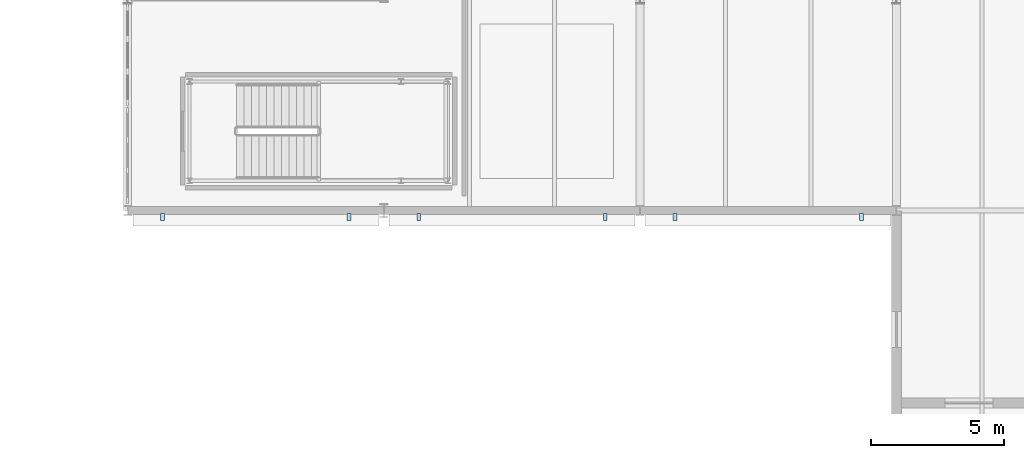
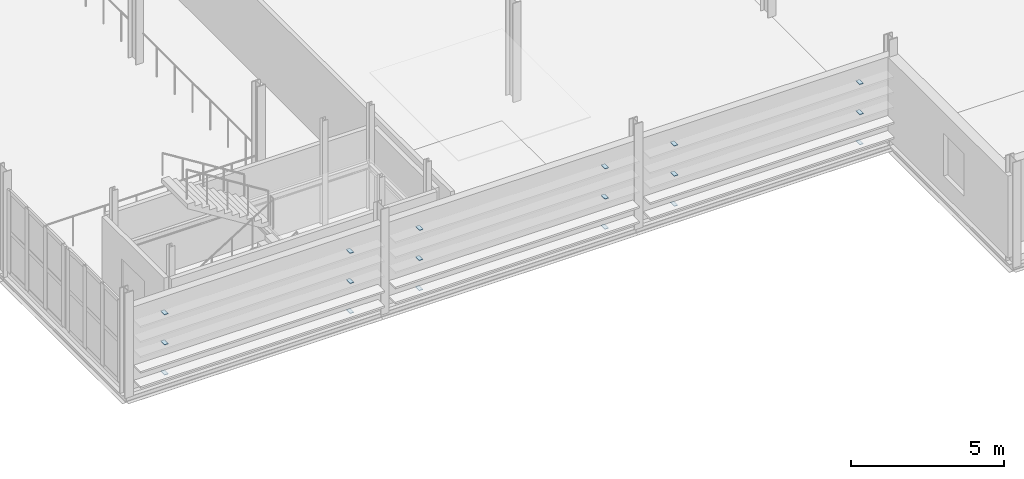
# One storey, part 54 of 78: 18 plates.
"""IFC4 building model written with IfcOpenShell, lengths in metres."""

import ifcopenshell
import ifcopenshell.guid

model = None  # the IFC model being written
_history = None  # IfcOwnerHistory: only IFC2X3 demands one
_inside = {}  # id of a spatial element -> (the spatial element, [elements in it])
_under = {}  # id of a project, library or spatial element -> (it, [spatial elements below it])
_declared = {}  # id of a project -> (the project, [libraries it declares])
_typed = {}  # id of a type object -> (the type object, [elements of that type])
_made_of = {}  # id of a material, layer set ... -> (it, [elements and type objects made of it])


def new_model(schema):
    """Start an empty IFC model of exactly this schema.

    Asked for "IFC4X3", IfcOpenShell would pick the latest addendum, in which some entities
    have other attributes; the version numbers below select the first issue.
    IFC2X3 requires an IfcOwnerHistory on every rooted entity: one is made here for all.
    """
    global model, _history
    if schema == "IFC4X3":
        model = ifcopenshell.file(schema_version=(4, 3, 0, 0))
    else:
        model = ifcopenshell.file(schema=schema)
    _inside.clear()
    _under.clear()
    _declared.clear()
    _typed.clear()
    _made_of.clear()
    _history = None
    if model.schema == "IFC2X3":
        org = make("IfcOrganization", Name="unknown")
        user = make(
            "IfcPersonAndOrganization",
            ThePerson=make("IfcPerson", FamilyName="unknown"),
            TheOrganization=org,
        )
        app = make(
            "IfcApplication",
            ApplicationDeveloper=org,
            Version="unknown",
            ApplicationFullName="unknown",
            ApplicationIdentifier="unknown",
        )
        _history = make(
            "IfcOwnerHistory",
            OwningUser=user,
            OwningApplication=app,
            ChangeAction="ADDED",
            CreationDate=0,
        )
    return model


def make(cls, **values):
    """One entity of the class cls with the attributes given. An attribute that is None is left unset."""
    return model.create_entity(
        cls, **{name: value for name, value in values.items() if value is not None}
    )


def rooted(cls, **values):
    """An entity with a GlobalId (a new one), such as an element, a storey or a relation."""
    return make(cls, GlobalId=ifcopenshell.guid.new(), OwnerHistory=_history, **values)


def si_unit(unit_type, name, prefix=None):
    """IfcSIUnit, for example si_unit("LENGTHUNIT", "METRE", prefix="MILLI")."""
    return make("IfcSIUnit", UnitType=unit_type, Prefix=prefix, Name=name)


def assignment(units):
    """IfcUnitAssignment: the units of a project."""
    return None if units is None else make("IfcUnitAssignment", Units=units)


def point(xyz):
    """IfcCartesianPoint."""
    return None if xyz is None else make("IfcCartesianPoint", Coordinates=xyz)


def direction(xyz):
    """IfcDirection."""
    return None if xyz is None else make("IfcDirection", DirectionRatios=xyz)


def frame(location, z_axis=None, x_axis=None):
    """IfcAxis2Placement3D, a coordinate frame: its origin and axes. An axis left out is left unset."""
    return make(
        "IfcAxis2Placement3D",
        Location=point(location),
        Axis=direction(z_axis),
        RefDirection=direction(x_axis),
    )


def frame_2d(location, x_axis=None):
    """IfcAxis2Placement2D, a coordinate frame in the plane: its origin and x axis."""
    return make(
        "IfcAxis2Placement2D", Location=point(location), RefDirection=direction(x_axis)
    )


def origin():
    """The frame at (0, 0, 0) with its axes left unset."""
    return frame((0.0, 0.0, 0.0))


def origin_2d():
    """The frame at (0, 0) in the plane with its x axis left unset."""
    return frame_2d((0.0, 0.0))


def place(relative_to, where):
    """IfcLocalPlacement: puts the frame where relative to a parent placement (None: the world)."""
    return make(
        "IfcLocalPlacement", PlacementRelTo=relative_to, RelativePlacement=where
    )


def context(
    kind, dimensions, precision=None, world=None, true_north=None, identifier=None
):
    """IfcGeometricRepresentationContext, for example the 3D "Model" context."""
    return make(
        "IfcGeometricRepresentationContext",
        ContextIdentifier=identifier,
        ContextType=kind,
        CoordinateSpaceDimension=dimensions,
        Precision=precision,
        WorldCoordinateSystem=world,
        TrueNorth=true_north,
    )


def subcontext(parent, identifier, kind, view, scale=None):
    """IfcGeometricRepresentationSubContext, for example "Body" below "Model"."""
    return make(
        "IfcGeometricRepresentationSubContext",
        ContextIdentifier=identifier,
        ContextType=kind,
        ParentContext=parent,
        TargetScale=scale,
        TargetView=view,
    )


def project(units=None, contexts=None):
    """IfcProject with its units and contexts."""
    return rooted(
        "IfcProject",
        Name="project",
        RepresentationContexts=contexts,
        UnitsInContext=assignment(units),
    )


def spatial(cls, under=None, at=None, **own):
    """A site, building, storey or space (cls), placed at a placement, below another one or the project."""
    s = rooted(cls, ObjectPlacement=at, **own)
    if under is not None:
        _under.setdefault(under.id(), (under, []))[1].append(s)
    return s


def profile(cls, at=None, kind="AREA", **sizes):
    """A parametric profile (cls). Its sizes go by their IFC names, for example OverallWidth=200.0."""
    return make(cls, ProfileType=kind, Position=at, **sizes)


def rectangle(**sizes):
    """IfcRectangleProfileDef."""
    return profile("IfcRectangleProfileDef", **sizes)


def extrude(swept, where, along, depth):
    """IfcExtrudedAreaSolid: the profile swept, set in the frame where, extruded along a direction by depth."""
    return make(
        "IfcExtrudedAreaSolid",
        SweptArea=swept,
        Position=where,
        ExtrudedDirection=direction(along),
        Depth=depth,
    )


def shape(context_of_items, identifier, shape_type, items):
    """IfcShapeRepresentation: the items that make up one representation, for example the "Body"."""
    return make(
        "IfcShapeRepresentation",
        ContextOfItems=context_of_items,
        RepresentationIdentifier=identifier,
        RepresentationType=shape_type,
        Items=items,
    )


def material(Name=None, Category=None):
    """IfcMaterial."""
    return make("IfcMaterial", Name=Name, Category=Category)


def layer(
    of_material, thickness, ventilated=None, Name=None, Category=None, Priority=None
):
    """IfcMaterialLayer: one layer of a wall or slab, of a material (None: an air gap)."""
    return make(
        "IfcMaterialLayer",
        Material=of_material,
        LayerThickness=thickness,
        IsVentilated=ventilated,
        Name=Name,
        Category=Category,
        Priority=Priority,
    )


def layer_set(layers, Name=None):
    """IfcMaterialLayerSet."""
    return make("IfcMaterialLayerSet", MaterialLayers=layers, LayerSetName=Name)


def made_of(thing, what):
    """Note that an element or type object is made of a material, layer set ...; save() writes the relation."""
    if what is not None:
        _made_of.setdefault(what.id(), (what, []))[1].append(thing)
    return thing


def type_object(cls, material=None, **own):
    """A type object (cls), such as IfcWallType, which elements share."""
    return made_of(rooted(cls, **own), material)


def element(
    cls,
    number,
    at=None,
    inside=None,
    cuts=None,
    type_object=None,
    material=None,
    context=None,
    identifier="Body",
    shape_type=None,
    held_by="IfcProductDefinitionShape",
    body=None,
    shapes=None,
    **own,
):
    """One element of the class cls, such as IfcWall. Its Tag is "e" and its number.

    at: its placement. inside: the storey or other place that contains it. cuts: it is an
    opening in that element (IfcRelVoidsElement). A single representation is given by context,
    identifier, shape_type and body (its items); several are given by shapes. held_by: the class
    of the entity that holds the representations. save() writes the other relations.
    """
    e = rooted(cls, Tag="e%d" % number, ObjectPlacement=at, **own)
    if body is not None:
        shapes = [shape(context, identifier, shape_type, body)]
    if shapes is not None:
        e.Representation = make(held_by, Representations=shapes)
    if inside is not None:
        _inside.setdefault(inside.id(), (inside, []))[1].append(e)
    if cuts is not None:
        rooted(
            "IfcRelVoidsElement", RelatingBuildingElement=cuts, RelatedOpeningElement=e
        )
    if type_object is not None:
        _typed.setdefault(type_object.id(), (type_object, []))[1].append(e)
    return made_of(e, material)


def aggregate(whole, parts):
    """IfcRelAggregates: a whole, such as a stair, and the parts it consists of."""
    return rooted("IfcRelAggregates", RelatingObject=whole, RelatedObjects=parts)


def save(model, path):
    """Write the relations noted so far, then the file.

    IfcRelAggregates (storeys below a building ...), IfcRelContainedInSpatialStructure (elements
    in a storey), IfcRelDefinesByType, IfcRelAssociatesMaterial and IfcRelDeclares: one each for
    every whole, place, type object, material and project.
    """
    for whole, parts in _under.values():
        aggregate(whole, parts)
    for where, things in _inside.values():
        rooted(
            "IfcRelContainedInSpatialStructure",
            RelatedElements=things,
            RelatingStructure=where,
        )
    for kind, things in _typed.values():
        rooted("IfcRelDefinesByType", RelatedObjects=things, RelatingType=kind)
    for what, things in _made_of.values():
        rooted("IfcRelAssociatesMaterial", RelatedObjects=things, RelatingMaterial=what)
    for by, libraries in _declared.values():
        rooted("IfcRelDeclares", RelatingContext=by, RelatedDefinitions=libraries)
    model.write(path)


model = new_model("IFC4")

# Units and contexts
model_context = context("Model", 3, precision=1e-05, world=origin(), true_north=direction((0.0, 1.0)))
body_context = subcontext(model_context, "Body", "Model", "MODEL_VIEW")
ifc_project = project(units=[si_unit("LENGTHUNIT", "METRE"), si_unit("AREAUNIT", "SQUARE_METRE"), si_unit("VOLUMEUNIT", "CUBIC_METRE"), si_unit("PLANEANGLEUNIT", "RADIAN"), si_unit("MASSUNIT", "GRAM", prefix="KILO")], contexts=[model_context])

# Site, building, storey
site_placement = place(None, origin())
site = spatial("IfcSite", under=ifc_project, at=site_placement, CompositionType="ELEMENT")
building_placement = place(site_placement, origin())
building = spatial("IfcBuilding", under=site, at=building_placement, Name="Alderhovde Museum", CompositionType="ELEMENT")
storey_placement = place(building_placement, frame((0.0, 0.0, 4.5)))
storey = spatial("IfcBuildingStorey", under=building, at=storey_placement, Name="L01", CompositionType="ELEMENT", Elevation=4.5)

# Plates
ifc_material = material(Name="Steel S355J2", Category="steel")
ifc_layer = layer(ifc_material, 0.02001953125)
ifc_layer_set = layer_set([ifc_layer], Name="Steel S355J2")
plate_type = type_object("IfcPlateType", Name="LV-BRACKET", PredefinedType="USERDEFINED", material=ifc_layer_set)
for number, where, z_axis, x_axis, name in (
    (1, (20.50390625, 47.77001953125, 0.2900390625), (0.0, 0.0, 1.0), (1.0, 0.0, 0.0), "L01 Louvre Support Bracket 37-1"),
    (2, (27.49609375, 47.77001953125, 0.2900390625), (0.0, 0.0, 1.0), (1.0, 0.0, 0.0), "L01 Louvre Support Bracket 37-2"),
    (3, (20.50390625, 47.77001953125, 1.489990234375), (0.0, 0.0, 1.0), (1.0, 0.0, 0.0), "L01 Louvre Support Bracket 39-1"),
    (4, (27.49609375, 47.77001953125, 1.489990234375), (0.0, 0.0, 1.0), (1.0, 0.0, 0.0), "L01 Louvre Support Bracket 39-2"),
    (5, (20.50390625, 47.77001953125, 2.68994140625), (0.0, 0.0, 1.0), (1.0, 0.0, 0.0), "L01 Louvre Support Bracket 41-1"),
    (6, (27.49609375, 47.77001953125, 2.68994140625), (0.0, 0.0, 1.0), (1.0, 0.0, 0.0), "L01 Louvre Support Bracket 41-2"),
    (7, (30.10400390625, 47.77001953125, 0.2900390625), (0.0, 0.0, 1.0), (1.0, 0.0, 0.0), "L01 Louvre Support Bracket 42-1"),
    (8, (37.095947265625, 47.77001953125, 0.2900390625), (0.0, 0.0, 1.0), (1.0, 0.0, 0.0), "L01 Louvre Support Bracket 42-2"),
    (9, (30.10400390625, 47.77001953125, 1.489990234375), (0.0, 0.0, 1.0), (1.0, 0.0, 0.0), "L01 Louvre Support Bracket 44-1"),
    (10, (37.095947265625, 47.77001953125, 1.489990234375), (0.0, 0.0, 1.0), (1.0, 0.0, 0.0), "L01 Louvre Support Bracket 44-2"),
    (11, (30.10400390625, 47.77001953125, 2.68994140625), (0.0, 0.0, 1.0), (1.0, 0.0, 0.0), "L01 Louvre Support Bracket 46-1"),
    (12, (37.095947265625, 47.77001953125, 2.68994140625), (0.0, 0.0, 1.0), (1.0, 0.0, 0.0), "L01 Louvre Support Bracket 46-2"),
    (13, (39.7041015625, 47.77001953125, 0.2900390625), (0.0, 0.0, 1.0), (1.0, 0.0, 0.0), "L01 Louvre Support Bracket 47-1"),
    (14, (46.696044921875, 47.77001953125, 0.2900390625), (0.0, 0.0, 1.0), (1.0, 0.0, 0.0), "L01 Louvre Support Bracket 47-2"),
    (15, (39.7041015625, 47.77001953125, 1.489990234375), (0.0, 0.0, 1.0), (1.0, 0.0, 0.0), "L01 Louvre Support Bracket 49-1"),
    (16, (46.696044921875, 47.77001953125, 1.489990234375), (0.0, 0.0, 1.0), (1.0, 0.0, 0.0), "L01 Louvre Support Bracket 49-2"),
    (17, (39.7041015625, 47.77001953125, 2.68994140625), (0.0, 0.0, 1.0), (1.0, 0.0, 0.0), "L01 Louvre Support Bracket 51-1"),
    (18, (46.696044921875, 47.77001953125, 2.68994140625), (0.0, 0.0, 1.0), (1.0, 0.0, 0.0), "L01 Louvre Support Bracket 51-2"),
):
    element("IfcPlate", number, at=place(storey_placement, frame(where, z_axis=z_axis, x_axis=x_axis)), inside=storey, type_object=plate_type, Name=name, ObjectType="BRACKET PLATE", PredefinedType="USERDEFINED", context=body_context, shape_type="SweptSolid", body=[
        extrude(rectangle(XDim=0.139892578125, YDim=0.260009765625, at=origin_2d()), origin(), (0.0, 0.0, 1.0), 0.02001953125),
    ])

save(model, "model.ifc")
